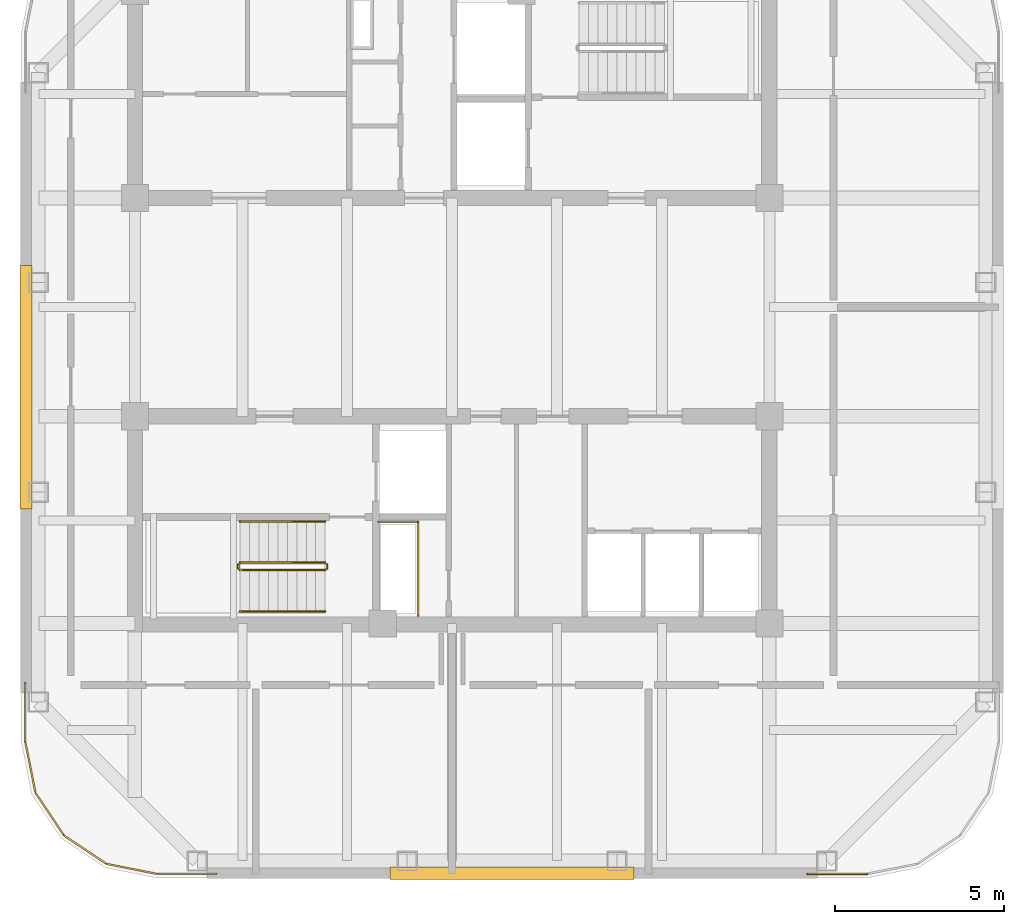
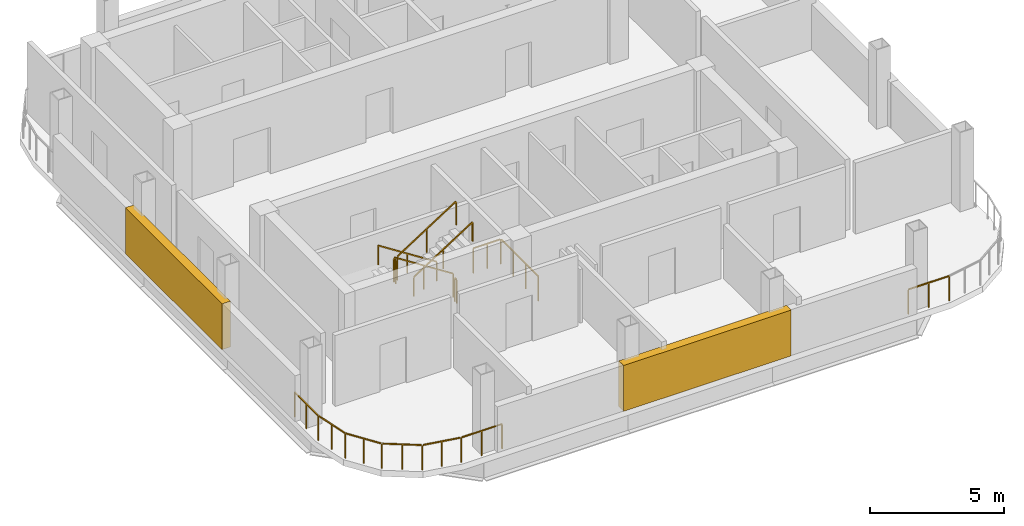
# One storey, part 5 of 7: 9 railings, 2 shading devices.
"""IFC4 building model written with IfcOpenShell, lengths in metres."""

from ifc_helpers import new_model, si_unit, direction, frame, origin, origin_2d, place, context, subcontext, project, spatial, rectangle, extrude, material, type_object, element, save


model = new_model("IFC4")

# Units and contexts
model_context = context("Model", 3, precision=1e-05, world=origin(), true_north=direction((0.0, 1.0)))
body_context = subcontext(model_context, "Body", "Model", "MODEL_VIEW")
ifc_project = project(units=[si_unit("LENGTHUNIT", "METRE"), si_unit("AREAUNIT", "SQUARE_METRE"), si_unit("VOLUMEUNIT", "CUBIC_METRE"), si_unit("PLANEANGLEUNIT", "RADIAN"), si_unit("MASSUNIT", "GRAM", prefix="KILO")], contexts=[model_context])

# Site, building, storey
site_placement = place(None, origin())
site = spatial("IfcSite", under=ifc_project, at=site_placement, CompositionType="ELEMENT")
building_placement = place(site_placement, origin())
building = spatial("IfcBuilding", under=site, at=building_placement, Name="Qhalaya Broadcast Tower", CompositionType="ELEMENT")
storey_placement = place(building_placement, frame((0.0, 0.0, 234.89990234375)))
storey = spatial("IfcBuildingStorey", under=building, at=storey_placement, Name="L69", CompositionType="ELEMENT", Elevation=234.89990234375)

# Shading devices
ifc_material_1 = material(Name="Fired Architectural Terracotta", Category="masonry")
shading_device_type = type_object("IfcShadingDeviceType", Name="Plant & Turbine-Slot Acoustic Louvre Screen LVS-01", PredefinedType="USERDEFINED", material=ifc_material_1)
for number, where, z_axis, x_axis, name in (
    (1, (1.77001953125, -16.1298828125, 0.0), (0.0, 0.0, 1.0), (-1.0, 0.0, 0.0), "L69 Plant Acoustic Louvre Screen S"),
    (2, (-12.590087890625, -1.77001953125, 0.0), (0.0, 0.0, 1.0), (0.0, 1.0, 0.0), "L69 Plant Acoustic Louvre Screen W"),
):
    element("IfcShadingDevice", number, at=place(storey_placement, frame(where, z_axis=z_axis, x_axis=x_axis)), inside=storey, type_object=shading_device_type, Name=name, ObjectType="LOUVRE", PredefinedType="USERDEFINED", context=body_context, shape_type="SweptSolid", body=[
        extrude(rectangle(XDim=7.199951171875, YDim=0.360107421875, at=origin_2d()), origin(), (0.0, 0.0, 1.0), 2.08203125),
    ])

# Railings
ifc_material_2 = material(Name="Powder-Coated Galvanised Steel", Category="steel")
railing_type_1 = type_object("IfcRailingType", Name="Stair Wall Handrail 900", PredefinedType="HANDRAIL", material=ifc_material_2)
railing_1_placement = place(storey_placement, frame((-3.75, -5.72998046875, 0.18017578125)))
element("IfcRailing", 3, at=railing_1_placement, inside=storey, type_object=railing_type_1, Name="L69 ST-2 Stair Handrail 1", PredefinedType="HANDRAIL", context=body_context, shape_type="SweptSolid", body=[
    extrude(rectangle(XDim=0.048095703125, YDim=0.048095703125, at=origin_2d()), frame((0.0, 0.0, 0.8759765625), z_axis=(-0.841199657755, 0.0, 0.540724639528), x_axis=(0.0, -1.0, 0.0)), (0.0, 0.0, 1.0), 2.995849609375),
    extrude(rectangle(XDim=0.0419921875, YDim=0.0419921875, at=origin_2d()), origin(), (0.0, 0.0, 1.0), 0.849853515625),
    extrude(rectangle(XDim=0.0419921875, YDim=0.0419921875, at=origin_2d()), frame((-1.260009765625, 0.0, 0.81005859375)), (0.0, 0.0, 1.0), 0.849853515625),
    extrude(rectangle(XDim=0.0419921875, YDim=0.0419921875, at=origin_2d()), frame((-2.52001953125, 0.0, 1.619873046875)), (0.0, 0.0, 1.0), 0.849853515625),
])
railing_2_placement = place(storey_placement, frame((-6.27001953125, -8.389892578125, 1.97998046875)))
element("IfcRailing", 4, at=railing_2_placement, inside=storey, type_object=railing_type_1, Name="L69 ST-2 Stair Handrail 2", PredefinedType="HANDRAIL", context=body_context, shape_type="SweptSolid", body=[
    extrude(rectangle(XDim=0.048095703125, YDim=0.048095703125, at=origin_2d()), frame((0.0, 0.0, 0.8759765625), z_axis=(0.841162588446, 0.0, 0.540782303519), x_axis=(0.0, 1.0, 0.0)), (0.0, 0.0, 1.0), 2.995849609375),
    extrude(rectangle(XDim=0.0419921875, YDim=0.0419921875, at=origin_2d()), origin(), (0.0, 0.0, 1.0), 0.849853515625),
    extrude(rectangle(XDim=0.0419921875, YDim=0.0419921875, at=origin_2d()), frame((1.260009765625, 0.0, 0.81005859375)), (0.0, 0.0, 1.0), 0.849853515625),
    extrude(rectangle(XDim=0.0419921875, YDim=0.0419921875, at=origin_2d()), frame((2.52001953125, 0.0, 1.6201171875)), (0.0, 0.0, 1.0), 0.849853515625),
])
railing_type_2 = type_object("IfcRailingType", Name="Stair Well & Landing Guardrail 1100", PredefinedType="GUARDRAIL", material=ifc_material_2)
railing_3_placement = place(storey_placement, frame((-1.0, -8.52001953125, 0.0)))
element("IfcRailing", 5, at=railing_3_placement, inside=storey, type_object=railing_type_2, Name="L69 Service Riser Opening Safety Guard SRSR", PredefinedType="GUARDRAIL", context=body_context, shape_type="SweptSolid", body=[
    extrude(rectangle(XDim=0.048095703125, YDim=0.048095703125, at=origin_2d()), frame((0.0, 0.0, 1.1259765625), z_axis=(0.0, 1.0, 0.0), x_axis=(-1.0, 0.0, 0.0)), (0.0, 0.0, 1.0), 2.751220703125),
    extrude(rectangle(XDim=0.048095703125, YDim=0.048095703125, at=origin_2d()), frame((-0.02880859375, 2.780029296875, 1.1259765625), z_axis=(-1.0, 0.0, 0.0), x_axis=(0.0, -1.0, 0.0)), (0.0, 0.0, 1.0), 1.151123046875),
    extrude(rectangle(XDim=0.0419921875, YDim=0.0419921875, at=origin_2d()), origin(), (0.0, 0.0, 1.0), 1.099853515625),
    extrude(rectangle(XDim=0.0419921875, YDim=0.0419921875, at=origin_2d()), frame((0.0, 0.9267578125, 0.0)), (0.0, 0.0, 1.0), 1.099853515625),
    extrude(rectangle(XDim=0.0419921875, YDim=0.0419921875, at=origin_2d()), frame((0.0, 1.853271484375, 0.0)), (0.0, 0.0, 1.0), 1.099853515625),
    extrude(rectangle(XDim=0.0419921875, YDim=0.0419921875, at=origin_2d()), frame((0.0, 2.780029296875, 0.0)), (0.0, 0.0, 1.0), 1.099853515625),
    extrude(rectangle(XDim=0.0419921875, YDim=0.0419921875, at=origin_2d()), frame((-0.58984375, 2.780029296875, 0.0)), (0.0, 0.0, 1.0), 1.099853515625),
    extrude(rectangle(XDim=0.0419921875, YDim=0.0419921875, at=origin_2d()), frame((-1.179931640625, 2.780029296875, 0.0)), (0.0, 0.0, 1.0), 1.099853515625),
])
railing_4_placement = place(storey_placement, frame((-3.75, -6.949951171875, 0.18017578125)))
element("IfcRailing", 6, at=railing_4_placement, inside=storey, type_object=railing_type_2, Name="L69 ST-2 Stair Guard 1", PredefinedType="GUARDRAIL", context=body_context, shape_type="SweptSolid", body=[
    extrude(rectangle(XDim=0.048095703125, YDim=0.048095703125, at=origin_2d()), frame((0.0, 0.0, 1.076171875), z_axis=(-0.841199657755, 0.0, 0.540724639528), x_axis=(0.0, -1.0, 0.0)), (0.0, 0.0, 1.0), 2.995849609375),
    extrude(rectangle(XDim=0.0419921875, YDim=0.0419921875, at=origin_2d()), origin(), (0.0, 0.0, 1.0), 1.050048828125),
    extrude(rectangle(XDim=0.0419921875, YDim=0.0419921875, at=origin_2d()), frame((-1.260009765625, 0.0, 0.81005859375)), (0.0, 0.0, 1.0), 1.050048828125),
    extrude(rectangle(XDim=0.0419921875, YDim=0.0419921875, at=origin_2d()), frame((-2.52001953125, 0.0, 1.619873046875)), (0.0, 0.0, 1.0), 1.050048828125),
])
railing_5_placement = place(storey_placement, frame((-6.320068359375, -7.0, 1.800048828125)))
element("IfcRailing", 7, at=railing_5_placement, inside=storey, type_object=railing_type_2, Name="L69 ST-2 Stair Guard 2", PredefinedType="GUARDRAIL", context=body_context, shape_type="SweptSolid", body=[
    extrude(rectangle(XDim=0.048095703125, YDim=0.048095703125, at=origin_2d()), frame((0.0, 0.0, 1.076171875), z_axis=(0.0, -1.0, 0.0), x_axis=(1.0, 0.0, 0.0)), (0.0, 0.0, 1.0), 0.1201171875),
    extrude(rectangle(XDim=0.0419921875, YDim=0.0419921875, at=origin_2d()), origin(), (0.0, 0.0, 1.0), 1.050048828125),
    extrude(rectangle(XDim=0.0419921875, YDim=0.0419921875, at=origin_2d()), frame((0.0, -0.1201171875, 0.0)), (0.0, 0.0, 1.0), 1.050048828125),
])
railing_6_placement = place(storey_placement, frame((-6.27001953125, -7.169921875, 1.97998046875)))
element("IfcRailing", 8, at=railing_6_placement, inside=storey, type_object=railing_type_2, Name="L69 ST-2 Stair Guard 3", PredefinedType="GUARDRAIL", context=body_context, shape_type="SweptSolid", body=[
    extrude(rectangle(XDim=0.048095703125, YDim=0.048095703125, at=origin_2d()), frame((0.0, 0.0, 1.076171875), z_axis=(0.841162588446, 0.0, 0.540782303519), x_axis=(0.0, 1.0, 0.0)), (0.0, 0.0, 1.0), 2.995849609375),
    extrude(rectangle(XDim=0.0419921875, YDim=0.0419921875, at=origin_2d()), origin(), (0.0, 0.0, 1.0), 1.050048828125),
    extrude(rectangle(XDim=0.0419921875, YDim=0.0419921875, at=origin_2d()), frame((1.260009765625, 0.0, 0.81005859375)), (0.0, 0.0, 1.0), 1.050048828125),
    extrude(rectangle(XDim=0.0419921875, YDim=0.0419921875, at=origin_2d()), frame((2.52001953125, 0.0, 1.6201171875)), (0.0, 0.0, 1.0), 1.050048828125),
])
railing_7_placement = place(storey_placement, frame((-3.699951171875, -7.0, 0.0)))
element("IfcRailing", 9, at=railing_7_placement, inside=storey, type_object=railing_type_2, Name="L69 ST-2 Stair Guard 4", PredefinedType="GUARDRAIL", context=body_context, shape_type="SweptSolid", body=[
    extrude(rectangle(XDim=0.048095703125, YDim=0.048095703125, at=origin_2d()), frame((0.0, 0.0, 1.076171875), z_axis=(0.0, -1.0, 0.0), x_axis=(1.0, 0.0, 0.0)), (0.0, 0.0, 1.0), 0.1201171875),
    extrude(rectangle(XDim=0.0419921875, YDim=0.0419921875, at=origin_2d()), origin(), (0.0, 0.0, 1.0), 1.050048828125),
    extrude(rectangle(XDim=0.0419921875, YDim=0.0419921875, at=origin_2d()), frame((0.0, -0.1201171875, 0.0)), (0.0, 0.0, 1.0), 1.050048828125),
])
railing_type_3 = type_object("IfcRailingType", Name="Terrace, Sky-Pool & Lookout Glass Balustrade 1150", PredefinedType="BALUSTRADE", material=ifc_material_2)
railing_8_placement = place(storey_placement, frame((12.25830078125, -16.14990234375, 0.0)))
element("IfcRailing", 10, at=railing_8_placement, inside=storey, type_object=railing_type_3, Name="L69 Rounded Corner Perimeter Guard 01", PredefinedType="BALUSTRADE", context=body_context, shape_type="SweptSolid", body=[
    extrude(rectangle(XDim=0.048095703125, YDim=0.048095703125, at=origin_2d()), frame((0.0, 0.0, 1.1259765625), z_axis=(-1.0, 0.0, 0.0), x_axis=(0.0, -1.0, 0.0)), (0.0, 0.0, 1.0), 1.75634765625),
    extrude(rectangle(XDim=0.0419921875, YDim=0.0419921875, at=origin_2d()), origin(), (0.0, 0.0, 1.0), 1.099853515625),
    extrude(rectangle(XDim=0.0419921875, YDim=0.0419921875, at=origin_2d()), frame((-0.878173828125, 0.0, 0.0)), (0.0, 0.0, 1.0), 1.099853515625),
    extrude(rectangle(XDim=0.0419921875, YDim=0.0419921875, at=origin_2d()), frame((-1.75634765625, 0.0, 0.0)), (0.0, 0.0, 1.0), 1.099853515625),
])
railing_9_placement = place(storey_placement, frame((-6.9619140625, -16.14990234375, 0.0)))
element("IfcRailing", 11, at=railing_9_placement, inside=storey, type_object=railing_type_3, Name="L69 Rounded Corner Perimeter Guard 02", PredefinedType="BALUSTRADE", context=body_context, shape_type="SweptSolid", body=[
    extrude(rectangle(XDim=0.048095703125, YDim=0.048095703125, at=origin_2d()), frame((0.0, 0.0, 1.1259765625), z_axis=(-1.0, 0.0, 0.0), x_axis=(0.0, -1.0, 0.0)), (0.0, 0.0, 1.0), 1.7275390625),
    extrude(rectangle(XDim=0.048095703125, YDim=0.048095703125, at=origin_2d()), frame((-1.78466796875, 0.005615234375, 1.1259765625), z_axis=(-0.980801732738, 0.195007592307, 0.0), x_axis=(-0.195007592307, -0.980801732738, 0.0)), (0.0, 0.0, 1.0), 1.46728515625),
    extrude(rectangle(XDim=0.048095703125, YDim=0.048095703125, at=origin_2d()), frame((-3.27587890625, 0.3134765625, 1.1259765625), z_axis=(-0.83147889372, 0.555556342146, 0.0), x_axis=(-0.555556342146, -0.83147889372, 0.0)), (0.0, 0.0, 1.0), 1.455322265625),
    extrude(rectangle(XDim=0.048095703125, YDim=0.048095703125, at=origin_2d()), frame((-4.526123046875, 1.161865234375, 1.1259765625), z_axis=(-0.555556342146, 0.83147889372, 0.0), x_axis=(-0.83147889372, -0.555556342146, 0.0)), (0.0, 0.0, 1.0), 1.455322265625),
    extrude(rectangle(XDim=0.048095703125, YDim=0.048095703125, at=origin_2d()), frame((-5.356201171875, 2.42431640625, 1.1259765625), z_axis=(-0.195161601391, 0.980771099361, 0.0), x_axis=(-0.980771099361, -0.195161601391, 0.0)), (0.0, 0.0, 1.0), 1.46728515625),
    extrude(rectangle(XDim=0.048095703125, YDim=0.048095703125, at=origin_2d()), frame((-5.648193359375, 3.92041015625, 1.1259765625), z_axis=(0.0, 1.0, 0.0), x_axis=(-1.0, 0.0, 0.0)), (0.0, 0.0, 1.0), 1.7275390625),
    extrude(rectangle(XDim=0.0419921875, YDim=0.0419921875, at=origin_2d()), origin(), (0.0, 0.0, 1.0), 1.099853515625),
    extrude(rectangle(XDim=0.0419921875, YDim=0.0419921875, at=origin_2d()), frame((-0.878173828125, 0.0, 0.0)), (0.0, 0.0, 1.0), 1.099853515625),
    extrude(rectangle(XDim=0.0419921875, YDim=0.0419921875, at=origin_2d()), frame((-1.75634765625, 0.0, 0.0)), (0.0, 0.0, 1.0), 1.099853515625),
    extrude(rectangle(XDim=0.0419921875, YDim=0.0419921875, at=origin_2d()), frame((-2.504150390625, 0.148681640625, 0.0)), (0.0, 0.0, 1.0), 1.099853515625),
    extrude(rectangle(XDim=0.0419921875, YDim=0.0419921875, at=origin_2d()), frame((-3.251953125, 0.29736328125, 0.0)), (0.0, 0.0, 1.0), 1.099853515625),
    extrude(rectangle(XDim=0.0419921875, YDim=0.0419921875, at=origin_2d()), frame((-3.880859375, 0.7177734375, 0.0)), (0.0, 0.0, 1.0), 1.099853515625),
    extrude(rectangle(XDim=0.0419921875, YDim=0.0419921875, at=origin_2d()), frame((-4.510009765625, 1.137939453125, 0.0)), (0.0, 0.0, 1.0), 1.099853515625),
    extrude(rectangle(XDim=0.0419921875, YDim=0.0419921875, at=origin_2d()), frame((-4.93017578125, 1.76708984375, 0.0)), (0.0, 0.0, 1.0), 1.099853515625),
    extrude(rectangle(XDim=0.0419921875, YDim=0.0419921875, at=origin_2d()), frame((-5.3505859375, 2.39599609375, 0.0)), (0.0, 0.0, 1.0), 1.099853515625),
    extrude(rectangle(XDim=0.0419921875, YDim=0.0419921875, at=origin_2d()), frame((-5.49951171875, 3.143798828125, 0.0)), (0.0, 0.0, 1.0), 1.099853515625),
    extrude(rectangle(XDim=0.0419921875, YDim=0.0419921875, at=origin_2d()), frame((-5.648193359375, 3.8916015625, 0.0)), (0.0, 0.0, 1.0), 1.099853515625),
    extrude(rectangle(XDim=0.0419921875, YDim=0.0419921875, at=origin_2d()), frame((-5.648193359375, 4.769775390625, 0.0)), (0.0, 0.0, 1.0), 1.099853515625),
    extrude(rectangle(XDim=0.0419921875, YDim=0.0419921875, at=origin_2d()), frame((-5.648193359375, 5.64794921875, 0.0)), (0.0, 0.0, 1.0), 1.099853515625),
])

save(model, "model.ifc")
